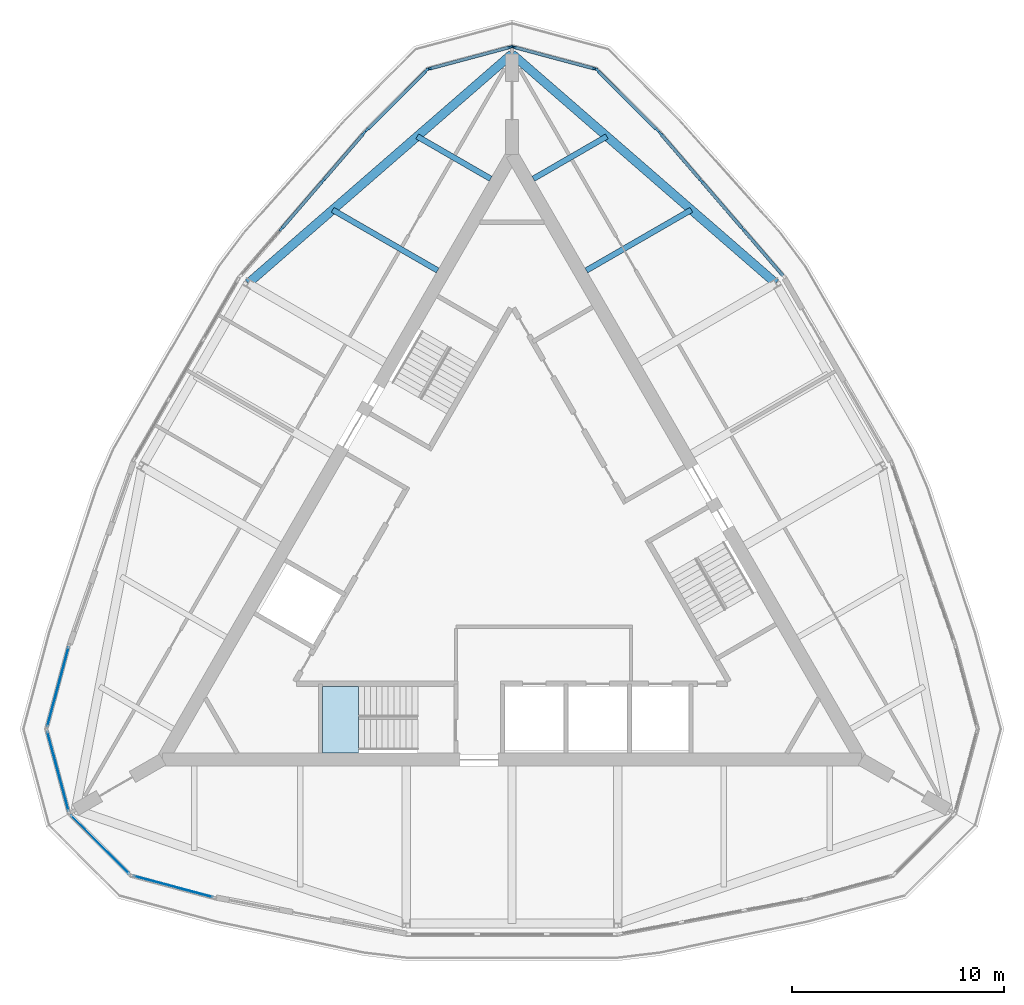
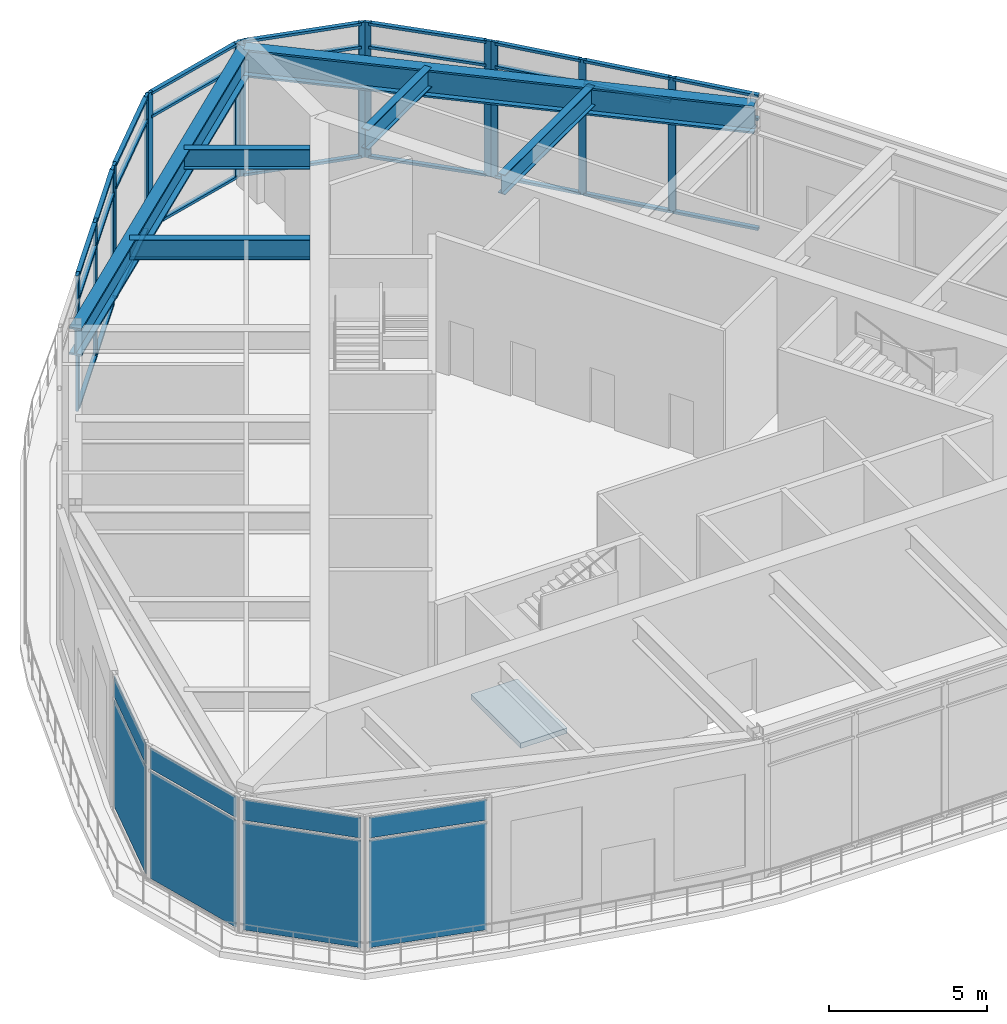
# One storey, part 3 of 9: 41 members, 8 plates, 6 beams, 1 slab, 11 elements without a shape of their own.
"""IFC4 building model written with IfcOpenShell, lengths in metres."""

import ifcopenshell
import ifcopenshell.guid

model = None  # the IFC model being written
_history = None  # IfcOwnerHistory: only IFC2X3 demands one
_inside = {}  # id of a spatial element -> (the spatial element, [elements in it])
_under = {}  # id of a project, library or spatial element -> (it, [spatial elements below it])
_declared = {}  # id of a project -> (the project, [libraries it declares])
_typed = {}  # id of a type object -> (the type object, [elements of that type])
_made_of = {}  # id of a material, layer set ... -> (it, [elements and type objects made of it])


def new_model(schema):
    """Start an empty IFC model of exactly this schema.

    Asked for "IFC4X3", IfcOpenShell would pick the latest addendum, in which some entities
    have other attributes; the version numbers below select the first issue.
    IFC2X3 requires an IfcOwnerHistory on every rooted entity: one is made here for all.
    """
    global model, _history
    if schema == "IFC4X3":
        model = ifcopenshell.file(schema_version=(4, 3, 0, 0))
    else:
        model = ifcopenshell.file(schema=schema)
    _inside.clear()
    _under.clear()
    _declared.clear()
    _typed.clear()
    _made_of.clear()
    _history = None
    if model.schema == "IFC2X3":
        org = make("IfcOrganization", Name="unknown")
        user = make(
            "IfcPersonAndOrganization",
            ThePerson=make("IfcPerson", FamilyName="unknown"),
            TheOrganization=org,
        )
        app = make(
            "IfcApplication",
            ApplicationDeveloper=org,
            Version="unknown",
            ApplicationFullName="unknown",
            ApplicationIdentifier="unknown",
        )
        _history = make(
            "IfcOwnerHistory",
            OwningUser=user,
            OwningApplication=app,
            ChangeAction="ADDED",
            CreationDate=0,
        )
    return model


def make(cls, **values):
    """One entity of the class cls with the attributes given. An attribute that is None is left unset."""
    return model.create_entity(
        cls, **{name: value for name, value in values.items() if value is not None}
    )


def rooted(cls, **values):
    """An entity with a GlobalId (a new one), such as an element, a storey or a relation."""
    return make(cls, GlobalId=ifcopenshell.guid.new(), OwnerHistory=_history, **values)


def si_unit(unit_type, name, prefix=None):
    """IfcSIUnit, for example si_unit("LENGTHUNIT", "METRE", prefix="MILLI")."""
    return make("IfcSIUnit", UnitType=unit_type, Prefix=prefix, Name=name)


def assignment(units):
    """IfcUnitAssignment: the units of a project."""
    return None if units is None else make("IfcUnitAssignment", Units=units)


def point(xyz):
    """IfcCartesianPoint."""
    return None if xyz is None else make("IfcCartesianPoint", Coordinates=xyz)


def direction(xyz):
    """IfcDirection."""
    return None if xyz is None else make("IfcDirection", DirectionRatios=xyz)


def frame(location, z_axis=None, x_axis=None):
    """IfcAxis2Placement3D, a coordinate frame: its origin and axes. An axis left out is left unset."""
    return make(
        "IfcAxis2Placement3D",
        Location=point(location),
        Axis=direction(z_axis),
        RefDirection=direction(x_axis),
    )


def frame_2d(location, x_axis=None):
    """IfcAxis2Placement2D, a coordinate frame in the plane: its origin and x axis."""
    return make(
        "IfcAxis2Placement2D", Location=point(location), RefDirection=direction(x_axis)
    )


def origin():
    """The frame at (0, 0, 0) with its axes left unset."""
    return frame((0.0, 0.0, 0.0))


def origin_2d():
    """The frame at (0, 0) in the plane with its x axis left unset."""
    return frame_2d((0.0, 0.0))


def place(relative_to, where):
    """IfcLocalPlacement: puts the frame where relative to a parent placement (None: the world)."""
    return make(
        "IfcLocalPlacement", PlacementRelTo=relative_to, RelativePlacement=where
    )


def context(
    kind, dimensions, precision=None, world=None, true_north=None, identifier=None
):
    """IfcGeometricRepresentationContext, for example the 3D "Model" context."""
    return make(
        "IfcGeometricRepresentationContext",
        ContextIdentifier=identifier,
        ContextType=kind,
        CoordinateSpaceDimension=dimensions,
        Precision=precision,
        WorldCoordinateSystem=world,
        TrueNorth=true_north,
    )


def subcontext(parent, identifier, kind, view, scale=None):
    """IfcGeometricRepresentationSubContext, for example "Body" below "Model"."""
    return make(
        "IfcGeometricRepresentationSubContext",
        ContextIdentifier=identifier,
        ContextType=kind,
        ParentContext=parent,
        TargetScale=scale,
        TargetView=view,
    )


def project(units=None, contexts=None):
    """IfcProject with its units and contexts."""
    return rooted(
        "IfcProject",
        Name="project",
        RepresentationContexts=contexts,
        UnitsInContext=assignment(units),
    )


def spatial(cls, under=None, at=None, **own):
    """A site, building, storey or space (cls), placed at a placement, below another one or the project."""
    s = rooted(cls, ObjectPlacement=at, **own)
    if under is not None:
        _under.setdefault(under.id(), (under, []))[1].append(s)
    return s


def polyline(points):
    """IfcPolyline through the points."""
    return make("IfcPolyline", Points=[point(p) for p in points])


def profile(cls, at=None, kind="AREA", **sizes):
    """A parametric profile (cls). Its sizes go by their IFC names, for example OverallWidth=200.0."""
    return make(cls, ProfileType=kind, Position=at, **sizes)


def rectangle(**sizes):
    """IfcRectangleProfileDef."""
    return profile("IfcRectangleProfileDef", **sizes)


def i_section(**sizes):
    """IfcIShapeProfileDef."""
    return profile("IfcIShapeProfileDef", **sizes)


def outline(outer, holes=None, kind="AREA"):
    """IfcArbitraryClosedProfileDef: a profile drawn as a closed curve; with holes, ...WithVoids."""
    if holes is None:
        return make("IfcArbitraryClosedProfileDef", ProfileType=kind, OuterCurve=outer)
    return make(
        "IfcArbitraryProfileDefWithVoids",
        ProfileType=kind,
        OuterCurve=outer,
        InnerCurves=holes,
    )


def extrude(swept, where, along, depth):
    """IfcExtrudedAreaSolid: the profile swept, set in the frame where, extruded along a direction by depth."""
    return make(
        "IfcExtrudedAreaSolid",
        SweptArea=swept,
        Position=where,
        ExtrudedDirection=direction(along),
        Depth=depth,
    )


def shape(context_of_items, identifier, shape_type, items):
    """IfcShapeRepresentation: the items that make up one representation, for example the "Body"."""
    return make(
        "IfcShapeRepresentation",
        ContextOfItems=context_of_items,
        RepresentationIdentifier=identifier,
        RepresentationType=shape_type,
        Items=items,
    )


def material(Name=None, Category=None):
    """IfcMaterial."""
    return make("IfcMaterial", Name=Name, Category=Category)


def layer(
    of_material, thickness, ventilated=None, Name=None, Category=None, Priority=None
):
    """IfcMaterialLayer: one layer of a wall or slab, of a material (None: an air gap)."""
    return make(
        "IfcMaterialLayer",
        Material=of_material,
        LayerThickness=thickness,
        IsVentilated=ventilated,
        Name=Name,
        Category=Category,
        Priority=Priority,
    )


def layer_set(layers, Name=None):
    """IfcMaterialLayerSet."""
    return make("IfcMaterialLayerSet", MaterialLayers=layers, LayerSetName=Name)


def material_profile(
    of_material, cross_section, Name=None, Category=None, Priority=None
):
    """IfcMaterialProfile: a cross section and its material."""
    return make(
        "IfcMaterialProfile",
        Name=Name,
        Material=of_material,
        Profile=cross_section,
        Priority=Priority,
        Category=Category,
    )


def profile_set(profiles, Name=None, composite=None):
    """IfcMaterialProfileSet."""
    return make(
        "IfcMaterialProfileSet",
        Name=Name,
        MaterialProfiles=profiles,
        CompositeProfile=composite,
    )


def made_of(thing, what):
    """Note that an element or type object is made of a material, layer set ...; save() writes the relation."""
    if what is not None:
        _made_of.setdefault(what.id(), (what, []))[1].append(thing)
    return thing


def type_object(cls, material=None, **own):
    """A type object (cls), such as IfcWallType, which elements share."""
    return made_of(rooted(cls, **own), material)


def element(
    cls,
    number,
    at=None,
    inside=None,
    cuts=None,
    type_object=None,
    material=None,
    context=None,
    identifier="Body",
    shape_type=None,
    held_by="IfcProductDefinitionShape",
    body=None,
    shapes=None,
    **own,
):
    """One element of the class cls, such as IfcWall. Its Tag is "e" and its number.

    at: its placement. inside: the storey or other place that contains it. cuts: it is an
    opening in that element (IfcRelVoidsElement). A single representation is given by context,
    identifier, shape_type and body (its items); several are given by shapes. held_by: the class
    of the entity that holds the representations. save() writes the other relations.
    """
    e = rooted(cls, Tag="e%d" % number, ObjectPlacement=at, **own)
    if body is not None:
        shapes = [shape(context, identifier, shape_type, body)]
    if shapes is not None:
        e.Representation = make(held_by, Representations=shapes)
    if inside is not None:
        _inside.setdefault(inside.id(), (inside, []))[1].append(e)
    if cuts is not None:
        rooted(
            "IfcRelVoidsElement", RelatingBuildingElement=cuts, RelatedOpeningElement=e
        )
    if type_object is not None:
        _typed.setdefault(type_object.id(), (type_object, []))[1].append(e)
    return made_of(e, material)


def aggregate(whole, parts):
    """IfcRelAggregates: a whole, such as a stair, and the parts it consists of."""
    return rooted("IfcRelAggregates", RelatingObject=whole, RelatedObjects=parts)


def save(model, path):
    """Write the relations noted so far, then the file.

    IfcRelAggregates (storeys below a building ...), IfcRelContainedInSpatialStructure (elements
    in a storey), IfcRelDefinesByType, IfcRelAssociatesMaterial and IfcRelDeclares: one each for
    every whole, place, type object, material and project.
    """
    for whole, parts in _under.values():
        aggregate(whole, parts)
    for where, things in _inside.values():
        rooted(
            "IfcRelContainedInSpatialStructure",
            RelatedElements=things,
            RelatingStructure=where,
        )
    for kind, things in _typed.values():
        rooted("IfcRelDefinesByType", RelatedObjects=things, RelatingType=kind)
    for what, things in _made_of.values():
        rooted("IfcRelAssociatesMaterial", RelatedObjects=things, RelatingMaterial=what)
    for by, libraries in _declared.values():
        rooted("IfcRelDeclares", RelatingContext=by, RelatedDefinitions=libraries)
    model.write(path)


model = new_model("IFC4")

# Units and contexts
model_context = context("Model", 3, precision=1e-05, world=origin(), true_north=direction((0.0, 1.0)))
body_context = subcontext(model_context, "Body", "Model", "MODEL_VIEW")
ifc_project = project(units=[si_unit("LENGTHUNIT", "METRE"), si_unit("AREAUNIT", "SQUARE_METRE"), si_unit("VOLUMEUNIT", "CUBIC_METRE"), si_unit("PLANEANGLEUNIT", "RADIAN"), si_unit("MASSUNIT", "GRAM", prefix="KILO")], contexts=[model_context])

# Site, building, storey
site_placement = place(None, origin())
site = spatial("IfcSite", under=ifc_project, at=site_placement, CompositionType="ELEMENT")
building_placement = place(site_placement, origin())
building = spatial("IfcBuilding", under=site, at=building_placement, Name="Trikona Tower", CompositionType="ELEMENT")
storey_placement = place(building_placement, frame((0.0, 0.0, 281.300048828125)))
storey = spatial("IfcBuildingStorey", under=building, at=storey_placement, Name="L74", CompositionType="ELEMENT", Elevation=281.300048828125)

# Curtain wall, members
ifc_material_1 = material(Name="Aluminium curtain wall system", Category="aluminium")
curtain_wall_type = type_object("IfcCurtainWallType", Name="Curtain wall OB", PredefinedType="NOTDEFINED", material=ifc_material_1)
curtain_wall_1_placement = place(storey_placement, origin())
curtain_wall_1 = element("IfcCurtainWall", 1, at=curtain_wall_1_placement, inside=storey, type_object=curtain_wall_type, Name="Curtain wall OB L74", PredefinedType="NOTDEFINED")
ifc_material_2 = material(Name="Aluminium mullion, pale anodised", Category="aluminium")
ifc_material_profile_1 = material_profile(ifc_material_2, rectangle(XDim=0.10009765625, YDim=0.25, at=origin_2d()), Name="MUL-OB")
ifc_profile_set_1 = profile_set([ifc_material_profile_1], Name="Aluminium mullion, pale anodised")
member_type_1 = type_object("IfcMemberType", Name="Mullion OB 100x250", PredefinedType="MULLION", material=ifc_profile_set_1)
member_1_placement = place(storey_placement, frame((10.8984375, 15.531005859375, 0.0), z_axis=(0.0, 0.0, 1.0), x_axis=(-0.757475219973, -0.652863914707, 0.0)))
member_1 = element("IfcMember", 2, at=member_1_placement, type_object=member_type_1, Name="CW-OB mullion 2", PredefinedType="MULLION", context=body_context, shape_type="SweptSolid", body=[
    extrude(rectangle(XDim=0.10009765625, YDim=0.25, at=origin_2d()), origin(), (0.0, 0.0, 1.0), 5.25),
])
member_2_placement = place(storey_placement, frame((8.930908203125, 17.813720703125, 0.0), z_axis=(0.0, 0.0, 1.0), x_axis=(-0.757475219973, -0.652863914707, 0.0)))
member_2 = element("IfcMember", 3, at=member_2_placement, type_object=member_type_1, Name="CW-OB mullion 3", PredefinedType="MULLION", context=body_context, shape_type="SweptSolid", body=[
    extrude(rectangle(XDim=0.10009765625, YDim=0.25, at=origin_2d()), origin(), (0.0, 0.0, 1.0), 5.25),
])
member_3_placement = place(storey_placement, frame((6.99609375, 20.058837890625, 0.0), z_axis=(0.0, 0.0, 1.0), x_axis=(-0.757475219973, -0.652863914707, 0.0)))
member_3 = element("IfcMember", 4, at=member_3_placement, type_object=member_type_1, Name="CW-OB mullion 4", PredefinedType="MULLION", context=body_context, shape_type="SweptSolid", body=[
    extrude(rectangle(XDim=0.10009765625, YDim=0.25, at=origin_2d()), origin(), (0.0, 0.0, 1.0), 5.25),
])

curtain_wall_2_placement = place(storey_placement, origin())
curtain_wall_2 = element("IfcCurtainWall", 5, at=curtain_wall_2_placement, inside=storey, type_object=curtain_wall_type, Name="Curtain wall OB L74", PredefinedType="NOTDEFINED")
member_4_placement = place(storey_placement, frame((6.8515625, 20.21435546875, 0.0), z_axis=(0.0, 0.0, 1.0), x_axis=(-0.707106781187, -0.707106781187, 0.0)))
member_4 = element("IfcMember", 6, at=member_4_placement, type_object=member_type_1, Name="CW-OB mullion 1", PredefinedType="MULLION", context=body_context, shape_type="SweptSolid", body=[
    extrude(rectangle(XDim=0.10009765625, YDim=0.25, at=origin_2d()), origin(), (0.0, 0.0, 1.0), 5.25),
])
member_5_placement = place(storey_placement, frame((4.048583984375, 23.017333984375, 0.0), z_axis=(0.0, 0.0, 1.0), x_axis=(-0.707106781187, -0.707106781187, 0.0)))
member_5 = element("IfcMember", 7, at=member_5_placement, type_object=member_type_1, Name="CW-OB mullion 2", PredefinedType="MULLION", context=body_context, shape_type="SweptSolid", body=[
    extrude(rectangle(XDim=0.10009765625, YDim=0.25, at=origin_2d()), origin(), (0.0, 0.0, 1.0), 5.25),
])

curtain_wall_3_placement = place(storey_placement, origin())
curtain_wall_3 = element("IfcCurtainWall", 8, at=curtain_wall_3_placement, inside=storey, type_object=curtain_wall_type, Name="Curtain wall OB L74", PredefinedType="NOTDEFINED")
member_6_placement = place(storey_placement, frame((3.909423828125, 23.09765625, 0.0), z_axis=(0.0, 0.0, 1.0), x_axis=(-0.258827918204, -0.965923448705, 0.0)))
member_6 = element("IfcMember", 9, at=member_6_placement, type_object=member_type_1, Name="CW-OB mullion 1", PredefinedType="MULLION", context=body_context, shape_type="SweptSolid", body=[
    extrude(rectangle(XDim=0.10009765625, YDim=0.25, at=origin_2d()), origin(), (0.0, 0.0, 1.0), 5.25),
])
member_7_placement = place(storey_placement, frame((0.080322265625, 24.123779296875, 0.0), z_axis=(0.0, 0.0, 1.0), x_axis=(-0.258827918204, -0.965923448705, 0.0)))
member_7 = element("IfcMember", 10, at=member_7_placement, type_object=member_type_1, Name="CW-OB mullion 2", PredefinedType="MULLION", context=body_context, shape_type="SweptSolid", body=[
    extrude(rectangle(XDim=0.10009765625, YDim=0.25, at=origin_2d()), origin(), (0.0, 0.0, 1.0), 5.25),
])

curtain_wall_4_placement = place(storey_placement, origin())
curtain_wall_4 = element("IfcCurtainWall", 11, at=curtain_wall_4_placement, inside=storey, type_object=curtain_wall_type, Name="Curtain wall OB L74", PredefinedType="NOTDEFINED")
member_8_placement = place(storey_placement, frame((-0.080322265625, 24.123779296875, 0.0), z_axis=(0.0, 0.0, 1.0), x_axis=(0.258827918204, -0.965923448705, 0.0)))
member_8 = element("IfcMember", 12, at=member_8_placement, type_object=member_type_1, Name="CW-OB mullion 1", PredefinedType="MULLION", context=body_context, shape_type="SweptSolid", body=[
    extrude(rectangle(XDim=0.10009765625, YDim=0.25, at=origin_2d()), origin(), (0.0, 0.0, 1.0), 5.25),
])
member_9_placement = place(storey_placement, frame((-3.909423828125, 23.09765625, 0.0), z_axis=(0.0, 0.0, 1.0), x_axis=(0.258827918204, -0.965923448705, 0.0)))
member_9 = element("IfcMember", 13, at=member_9_placement, type_object=member_type_1, Name="CW-OB mullion 2", PredefinedType="MULLION", context=body_context, shape_type="SweptSolid", body=[
    extrude(rectangle(XDim=0.10009765625, YDim=0.25, at=origin_2d()), origin(), (0.0, 0.0, 1.0), 5.25),
])

curtain_wall_5_placement = place(storey_placement, origin())
curtain_wall_5 = element("IfcCurtainWall", 14, at=curtain_wall_5_placement, inside=storey, type_object=curtain_wall_type, Name="Curtain wall OB L74", PredefinedType="NOTDEFINED")
member_10_placement = place(storey_placement, frame((-4.048583984375, 23.017333984375, 0.0), z_axis=(0.0, 0.0, 1.0), x_axis=(0.707106781187, -0.707106781187, 0.0)))
member_10 = element("IfcMember", 15, at=member_10_placement, type_object=member_type_1, Name="CW-OB mullion 1", PredefinedType="MULLION", context=body_context, shape_type="SweptSolid", body=[
    extrude(rectangle(XDim=0.10009765625, YDim=0.25, at=origin_2d()), origin(), (0.0, 0.0, 1.0), 5.25),
])
member_11_placement = place(storey_placement, frame((-6.8515625, 20.21435546875, 0.0), z_axis=(0.0, 0.0, 1.0), x_axis=(0.707106781187, -0.707106781187, 0.0)))
member_11 = element("IfcMember", 16, at=member_11_placement, type_object=member_type_1, Name="CW-OB mullion 2", PredefinedType="MULLION", context=body_context, shape_type="SweptSolid", body=[
    extrude(rectangle(XDim=0.10009765625, YDim=0.25, at=origin_2d()), origin(), (0.0, 0.0, 1.0), 5.25),
])

curtain_wall_6_placement = place(storey_placement, origin())
curtain_wall_6 = element("IfcCurtainWall", 17, at=curtain_wall_6_placement, inside=storey, type_object=curtain_wall_type, Name="Curtain wall OB L74", PredefinedType="NOTDEFINED")
member_12_placement = place(storey_placement, frame((-6.99609375, 20.058837890625, 0.0), z_axis=(0.0, 0.0, 1.0), x_axis=(0.757475219973, -0.652863914707, 0.0)))
member_12 = element("IfcMember", 18, at=member_12_placement, type_object=member_type_1, Name="CW-OB mullion 1", PredefinedType="MULLION", context=body_context, shape_type="SweptSolid", body=[
    extrude(rectangle(XDim=0.10009765625, YDim=0.25, at=origin_2d()), origin(), (0.0, 0.0, 1.0), 5.25),
])
member_13_placement = place(storey_placement, frame((-8.930908203125, 17.813720703125, 0.0), z_axis=(0.0, 0.0, 1.0), x_axis=(0.757475219973, -0.652863914707, 0.0)))
member_13 = element("IfcMember", 19, at=member_13_placement, type_object=member_type_1, Name="CW-OB mullion 2", PredefinedType="MULLION", context=body_context, shape_type="SweptSolid", body=[
    extrude(rectangle(XDim=0.10009765625, YDim=0.25, at=origin_2d()), origin(), (0.0, 0.0, 1.0), 5.25),
])
member_14_placement = place(storey_placement, frame((-10.8984375, 15.531005859375, 0.0), z_axis=(0.0, 0.0, 1.0), x_axis=(0.757475219973, -0.652863914707, 0.0)))
member_14 = element("IfcMember", 20, at=member_14_placement, type_object=member_type_1, Name="CW-OB mullion 3", PredefinedType="MULLION", context=body_context, shape_type="SweptSolid", body=[
    extrude(rectangle(XDim=0.10009765625, YDim=0.25, at=origin_2d()), origin(), (0.0, 0.0, 1.0), 5.25),
])

# Beams
ifc_material_3 = material(Name="Steel ASTM A992 Grade 50", Category="steel")
ifc_material_profile_2 = material_profile(ifc_material_3, i_section(OverallWidth=0.2666015625, OverallDepth=0.76953125, WebThickness=0.015625, FlangeThickness=0.025390625, at=origin_2d()), Name="W30X132")
ifc_profile_set_2 = profile_set([ifc_material_profile_2], Name="Steel ASTM A992 Grade 50")
beam_type_1 = type_object("IfcBeamType", Name="Steel beam W30x132 (wedge)", PredefinedType="BEAM", material=ifc_profile_set_2)
beam_1_placement = place(storey_placement, frame((3.509765625, 13.573486328125, 4.865234375), z_axis=(0.866044330199, 0.499967217055, 0.0), x_axis=(-0.499967217055, 0.866044330199, 0.0)))
element("IfcBeam", 21, at=beam_1_placement, inside=storey, type_object=beam_type_1, Name="Floor beam L75 F2 u10", PredefinedType="BEAM", context=body_context, shape_type="SweptSolid", body=[
    extrude(i_section(OverallWidth=0.2666015625, OverallDepth=0.76953125, WebThickness=0.015625, FlangeThickness=0.025390625, at=origin_2d()), origin(), (0.0, 0.0, 1.0), 5.7275390625),
])
for number, where, z_axis, x_axis, name in (
    (22, (1.009765625, 17.903564453125, 4.865234375), (0.866025209122, 0.500000337164, 0.0), (-0.500000337164, 0.866025209122, 0.0), "Floor beam L75 F2 u15"),
    (23, (-1.009765625, 17.903564453125, 4.865234375), (-0.866025209122, 0.500000337164, 0.0), (-0.500000337164, -0.866025209122, 0.0), "Floor beam L75 F3 u-15"),
):
    element("IfcBeam", number, at=place(storey_placement, frame(where, z_axis=z_axis, x_axis=x_axis)), inside=storey, type_object=beam_type_1, Name=name, PredefinedType="BEAM", context=body_context, shape_type="SweptSolid", body=[
        extrude(i_section(OverallWidth=0.2666015625, OverallDepth=0.76953125, WebThickness=0.015625, FlangeThickness=0.025390625, at=origin_2d()), origin(), (0.0, 0.0, 1.0), 4.00537109375),
    ])
beam_2_placement = place(storey_placement, frame((-3.509765625, 13.573486328125, 4.865234375), z_axis=(-0.866044330199, 0.499967217055, 0.0), x_axis=(-0.499967217055, -0.866044330199, 0.0)))
element("IfcBeam", 24, at=beam_2_placement, inside=storey, type_object=beam_type_1, Name="Floor beam L75 F3 u-10", PredefinedType="BEAM", context=body_context, shape_type="SweptSolid", body=[
    extrude(i_section(OverallWidth=0.2666015625, OverallDepth=0.76953125, WebThickness=0.015625, FlangeThickness=0.025390625, at=origin_2d()), origin(), (0.0, 0.0, 1.0), 5.7275390625),
])
ifc_material_4 = material(Name="Steel ASTM A992 Grade 50", Category="steel")
ifc_material_profile_3 = material_profile(ifc_material_4, i_section(OverallWidth=0.41650390625, OverallDepth=1.0693359375, WebThickness=0.0390625, FlangeThickness=0.070068359375, at=origin_2d()), Name="W40X503")
ifc_profile_set_3 = profile_set([ifc_material_profile_3], Name="Steel ASTM A992 Grade 50")
beam_type_2 = type_object("IfcBeamType", Name="Steel beam W40x503 (crown spandrel)", PredefinedType="SPANDREL", material=ifc_profile_set_3)
for number, where, z_axis, x_axis, name in (
    (25, (12.461181640625, 12.968017578125, 4.71533203125), (-0.754762765652, 0.655997841144, 0.0), (-0.655997841144, -0.754762765652, 0.0), "Spandrel beam L75 F2-3"),
    (26, (0.0, 23.798583984375, 4.71533203125), (-0.754762765652, -0.655997841144, 0.0), (0.655997841144, -0.754762765652, 0.0), "Spandrel beam L75 F3-1"),
):
    element("IfcBeam", number, at=place(storey_placement, frame(where, z_axis=z_axis, x_axis=x_axis)), inside=storey, type_object=beam_type_2, Name=name, PredefinedType="SPANDREL", context=body_context, shape_type="SweptSolid", body=[
        extrude(i_section(OverallWidth=0.41650390625, OverallDepth=1.0693359375, WebThickness=0.0390625, FlangeThickness=0.070068359375, at=origin_2d()), origin(), (0.0, 0.0, 1.0), 16.510009765625),
    ])

# Member
ifc_material_5 = material(Name="Aluminium transom, pale anodised", Category="aluminium")
ifc_material_profile_4 = material_profile(ifc_material_5, rectangle(XDim=0.14990234375, YDim=0.10009765625, at=origin_2d()), Name="TRN-OB")
ifc_profile_set_4 = profile_set([ifc_material_profile_4], Name="Aluminium transom, pale anodised")
member_type_2 = type_object("IfcMemberType", Name="Transom OB 100x150", PredefinedType="USERDEFINED", material=ifc_profile_set_4)
member_15_placement = place(storey_placement, frame((12.80078125, 13.323974609375, 0.050048828125), z_axis=(-0.65286710173, 0.757472473083, 0.0), x_axis=(-0.757472473083, -0.65286710173, 0.0)))
member_15 = element("IfcMember", 27, at=member_15_placement, type_object=member_type_2, Name="CW-OB transom 1.1", ObjectType="TRANSOM", PredefinedType="USERDEFINED", context=body_context, shape_type="SweptSolid", body=[
    extrude(rectangle(XDim=0.14990234375, YDim=0.10009765625, at=origin_2d()), origin(), (0.0, 0.0, 1.0), 2.86376953125),
])

member_16_placement = place(storey_placement, frame((12.80078125, 13.323974609375, 4.300048828125), z_axis=(-0.65286710173, 0.757472473083, 0.0), x_axis=(-0.757472473083, -0.65286710173, 0.0)))
member_16 = element("IfcMember", 28, at=member_16_placement, type_object=member_type_2, Name="CW-OB transom 1.2", ObjectType="TRANSOM", PredefinedType="USERDEFINED", context=body_context, shape_type="SweptSolid", body=[
    extrude(rectangle(XDim=0.14990234375, YDim=0.10009765625, at=origin_2d()), origin(), (0.0, 0.0, 1.0), 2.86376953125),
])

member_17_placement = place(storey_placement, frame((12.80078125, 13.323974609375, 5.199951171875), z_axis=(-0.65286710173, 0.757472473083, 0.0), x_axis=(-0.757472473083, -0.65286710173, 0.0)))
member_17 = element("IfcMember", 29, at=member_17_placement, type_object=member_type_2, Name="CW-OB transom 1.3", ObjectType="TRANSOM", PredefinedType="USERDEFINED", context=body_context, shape_type="SweptSolid", body=[
    extrude(rectangle(XDim=0.14990234375, YDim=0.10009765625, at=origin_2d()), origin(), (0.0, 0.0, 1.0), 2.86376953125),
])

member_18_placement = place(storey_placement, frame((10.86572265625, 15.56884765625, 0.050048828125), z_axis=(-0.652838503386, 0.757497121115, 0.0), x_axis=(-0.757497121115, -0.652838503386, 0.0)))
member_18 = element("IfcMember", 30, at=member_18_placement, type_object=member_type_2, Name="CW-OB transom 2.1", ObjectType="TRANSOM", PredefinedType="USERDEFINED", context=body_context, shape_type="SweptSolid", body=[
    extrude(rectangle(XDim=0.14990234375, YDim=0.10009765625, at=origin_2d()), origin(), (0.0, 0.0, 1.0), 2.91357421875),
])

member_19_placement = place(storey_placement, frame((10.86572265625, 15.56884765625, 4.300048828125), z_axis=(-0.652838503386, 0.757497121115, 0.0), x_axis=(-0.757497121115, -0.652838503386, 0.0)))
member_19 = element("IfcMember", 31, at=member_19_placement, type_object=member_type_2, Name="CW-OB transom 2.2", ObjectType="TRANSOM", PredefinedType="USERDEFINED", context=body_context, shape_type="SweptSolid", body=[
    extrude(rectangle(XDim=0.14990234375, YDim=0.10009765625, at=origin_2d()), origin(), (0.0, 0.0, 1.0), 2.91357421875),
])

member_20_placement = place(storey_placement, frame((10.86572265625, 15.56884765625, 5.199951171875), z_axis=(-0.652838503386, 0.757497121115, 0.0), x_axis=(-0.757497121115, -0.652838503386, 0.0)))
member_20 = element("IfcMember", 32, at=member_20_placement, type_object=member_type_2, Name="CW-OB transom 2.3", ObjectType="TRANSOM", PredefinedType="USERDEFINED", context=body_context, shape_type="SweptSolid", body=[
    extrude(rectangle(XDim=0.14990234375, YDim=0.10009765625, at=origin_2d()), origin(), (0.0, 0.0, 1.0), 2.91357421875),
])

member_21_placement = place(storey_placement, frame((8.898193359375, 17.8515625, 0.050048828125), z_axis=(-0.65286710173, 0.757472473083, 0.0), x_axis=(-0.757472473083, -0.65286710173, 0.0)))
member_21 = element("IfcMember", 33, at=member_21_placement, type_object=member_type_2, Name="CW-OB transom 3.1", ObjectType="TRANSOM", PredefinedType="USERDEFINED", context=body_context, shape_type="SweptSolid", body=[
    extrude(rectangle(XDim=0.14990234375, YDim=0.10009765625, at=origin_2d()), origin(), (0.0, 0.0, 1.0), 2.86376953125),
])

member_22_placement = place(storey_placement, frame((8.898193359375, 17.8515625, 4.300048828125), z_axis=(-0.65286710173, 0.757472473083, 0.0), x_axis=(-0.757472473083, -0.65286710173, 0.0)))
member_22 = element("IfcMember", 34, at=member_22_placement, type_object=member_type_2, Name="CW-OB transom 3.2", ObjectType="TRANSOM", PredefinedType="USERDEFINED", context=body_context, shape_type="SweptSolid", body=[
    extrude(rectangle(XDim=0.14990234375, YDim=0.10009765625, at=origin_2d()), origin(), (0.0, 0.0, 1.0), 2.86376953125),
])

member_23_placement = place(storey_placement, frame((8.898193359375, 17.8515625, 5.199951171875), z_axis=(-0.65286710173, 0.757472473083, 0.0), x_axis=(-0.757472473083, -0.65286710173, 0.0)))
member_23 = element("IfcMember", 35, at=member_23_placement, type_object=member_type_2, Name="CW-OB transom 3.3", ObjectType="TRANSOM", PredefinedType="USERDEFINED", context=body_context, shape_type="SweptSolid", body=[
    extrude(rectangle(XDim=0.14990234375, YDim=0.10009765625, at=origin_2d()), origin(), (0.0, 0.0, 1.0), 2.86376953125),
])

aggregate(curtain_wall_1, [member_1, member_2, member_3, member_15, member_16, member_17, member_18, member_19, member_20, member_21, member_22, member_23])

member_24_placement = place(storey_placement, frame((6.816162109375, 20.249755859375, 0.050048828125), z_axis=(-0.707106781187, 0.707106781187, 0.0), x_axis=(-0.707106781187, -0.707106781187, 0.0)))
member_24 = element("IfcMember", 36, at=member_24_placement, type_object=member_type_2, Name="CW-OB transom 1.1", ObjectType="TRANSOM", PredefinedType="USERDEFINED", context=body_context, shape_type="SweptSolid", body=[
    extrude(rectangle(XDim=0.14990234375, YDim=0.10009765625, at=origin_2d()), origin(), (0.0, 0.0, 1.0), 3.86376953125),
])

member_25_placement = place(storey_placement, frame((6.816162109375, 20.249755859375, 4.300048828125), z_axis=(-0.707106781187, 0.707106781187, 0.0), x_axis=(-0.707106781187, -0.707106781187, 0.0)))
member_25 = element("IfcMember", 37, at=member_25_placement, type_object=member_type_2, Name="CW-OB transom 1.2", ObjectType="TRANSOM", PredefinedType="USERDEFINED", context=body_context, shape_type="SweptSolid", body=[
    extrude(rectangle(XDim=0.14990234375, YDim=0.10009765625, at=origin_2d()), origin(), (0.0, 0.0, 1.0), 3.86376953125),
])

member_26_placement = place(storey_placement, frame((6.816162109375, 20.249755859375, 5.199951171875), z_axis=(-0.707106781187, 0.707106781187, 0.0), x_axis=(-0.707106781187, -0.707106781187, 0.0)))
member_26 = element("IfcMember", 38, at=member_26_placement, type_object=member_type_2, Name="CW-OB transom 1.3", ObjectType="TRANSOM", PredefinedType="USERDEFINED", context=body_context, shape_type="SweptSolid", body=[
    extrude(rectangle(XDim=0.14990234375, YDim=0.10009765625, at=origin_2d()), origin(), (0.0, 0.0, 1.0), 3.86376953125),
])

aggregate(curtain_wall_2, [member_4, member_5, member_24, member_25, member_26])

member_27_placement = place(storey_placement, frame((3.861083984375, 23.110595703125, 0.050048828125), z_axis=(-0.965932258808, 0.25879503742, 0.0), x_axis=(-0.25879503742, -0.965932258808, 0.0)))
member_27 = element("IfcMember", 39, at=member_27_placement, type_object=member_type_2, Name="CW-OB transom 1.1", ObjectType="TRANSOM", PredefinedType="USERDEFINED", context=body_context, shape_type="SweptSolid", body=[
    extrude(rectangle(XDim=0.14990234375, YDim=0.10009765625, at=origin_2d()), origin(), (0.0, 0.0, 1.0), 3.864013671875),
])

member_28_placement = place(storey_placement, frame((3.861083984375, 23.110595703125, 4.300048828125), z_axis=(-0.965932258808, 0.25879503742, 0.0), x_axis=(-0.25879503742, -0.965932258808, 0.0)))
member_28 = element("IfcMember", 40, at=member_28_placement, type_object=member_type_2, Name="CW-OB transom 1.2", ObjectType="TRANSOM", PredefinedType="USERDEFINED", context=body_context, shape_type="SweptSolid", body=[
    extrude(rectangle(XDim=0.14990234375, YDim=0.10009765625, at=origin_2d()), origin(), (0.0, 0.0, 1.0), 3.864013671875),
])

member_29_placement = place(storey_placement, frame((3.861083984375, 23.110595703125, 5.199951171875), z_axis=(-0.965932258808, 0.25879503742, 0.0), x_axis=(-0.25879503742, -0.965932258808, 0.0)))
member_29 = element("IfcMember", 41, at=member_29_placement, type_object=member_type_2, Name="CW-OB transom 1.3", ObjectType="TRANSOM", PredefinedType="USERDEFINED", context=body_context, shape_type="SweptSolid", body=[
    extrude(rectangle(XDim=0.14990234375, YDim=0.10009765625, at=origin_2d()), origin(), (0.0, 0.0, 1.0), 3.864013671875),
])

aggregate(curtain_wall_3, [member_6, member_7, member_27, member_28, member_29])

member_30_placement = place(storey_placement, frame((-0.128662109375, 24.110595703125, 0.050048828125), z_axis=(-0.965932258808, -0.25879503742, 0.0), x_axis=(0.25879503742, -0.965932258808, 0.0)))
member_30 = element("IfcMember", 42, at=member_30_placement, type_object=member_type_2, Name="CW-OB transom 1.1", ObjectType="TRANSOM", PredefinedType="USERDEFINED", context=body_context, shape_type="SweptSolid", body=[
    extrude(rectangle(XDim=0.14990234375, YDim=0.10009765625, at=origin_2d()), origin(), (0.0, 0.0, 1.0), 3.864013671875),
])

member_31_placement = place(storey_placement, frame((-0.128662109375, 24.110595703125, 4.300048828125), z_axis=(-0.965932258808, -0.25879503742, 0.0), x_axis=(0.25879503742, -0.965932258808, 0.0)))
member_31 = element("IfcMember", 43, at=member_31_placement, type_object=member_type_2, Name="CW-OB transom 1.2", ObjectType="TRANSOM", PredefinedType="USERDEFINED", context=body_context, shape_type="SweptSolid", body=[
    extrude(rectangle(XDim=0.14990234375, YDim=0.10009765625, at=origin_2d()), origin(), (0.0, 0.0, 1.0), 3.864013671875),
])

member_32_placement = place(storey_placement, frame((-0.128662109375, 24.110595703125, 5.199951171875), z_axis=(-0.965932258808, -0.25879503742, 0.0), x_axis=(0.25879503742, -0.965932258808, 0.0)))
member_32 = element("IfcMember", 44, at=member_32_placement, type_object=member_type_2, Name="CW-OB transom 1.3", ObjectType="TRANSOM", PredefinedType="USERDEFINED", context=body_context, shape_type="SweptSolid", body=[
    extrude(rectangle(XDim=0.14990234375, YDim=0.10009765625, at=origin_2d()), origin(), (0.0, 0.0, 1.0), 3.864013671875),
])

aggregate(curtain_wall_4, [member_8, member_9, member_30, member_31, member_32])

member_33_placement = place(storey_placement, frame((-4.083984375, 22.98193359375, 0.050048828125), z_axis=(-0.707106781187, -0.707106781187, 0.0), x_axis=(0.707106781187, -0.707106781187, 0.0)))
member_33 = element("IfcMember", 45, at=member_33_placement, type_object=member_type_2, Name="CW-OB transom 1.1", ObjectType="TRANSOM", PredefinedType="USERDEFINED", context=body_context, shape_type="SweptSolid", body=[
    extrude(rectangle(XDim=0.14990234375, YDim=0.10009765625, at=origin_2d()), origin(), (0.0, 0.0, 1.0), 3.86376953125),
])

member_34_placement = place(storey_placement, frame((-4.083984375, 22.98193359375, 4.300048828125), z_axis=(-0.707106781187, -0.707106781187, 0.0), x_axis=(0.707106781187, -0.707106781187, 0.0)))
member_34 = element("IfcMember", 46, at=member_34_placement, type_object=member_type_2, Name="CW-OB transom 1.2", ObjectType="TRANSOM", PredefinedType="USERDEFINED", context=body_context, shape_type="SweptSolid", body=[
    extrude(rectangle(XDim=0.14990234375, YDim=0.10009765625, at=origin_2d()), origin(), (0.0, 0.0, 1.0), 3.86376953125),
])

member_35_placement = place(storey_placement, frame((-4.083984375, 22.98193359375, 5.199951171875), z_axis=(-0.707106781187, -0.707106781187, 0.0), x_axis=(0.707106781187, -0.707106781187, 0.0)))
member_35 = element("IfcMember", 47, at=member_35_placement, type_object=member_type_2, Name="CW-OB transom 1.3", ObjectType="TRANSOM", PredefinedType="USERDEFINED", context=body_context, shape_type="SweptSolid", body=[
    extrude(rectangle(XDim=0.14990234375, YDim=0.10009765625, at=origin_2d()), origin(), (0.0, 0.0, 1.0), 3.86376953125),
])

aggregate(curtain_wall_5, [member_10, member_11, member_33, member_34, member_35])

member_36_placement = place(storey_placement, frame((-7.028564453125, 20.020751953125, 0.050048828125), z_axis=(-0.65286710173, -0.757472473083, 0.0), x_axis=(0.757472473083, -0.65286710173, 0.0)))
member_36 = element("IfcMember", 48, at=member_36_placement, type_object=member_type_2, Name="CW-OB transom 1.1", ObjectType="TRANSOM", PredefinedType="USERDEFINED", context=body_context, shape_type="SweptSolid", body=[
    extrude(rectangle(XDim=0.14990234375, YDim=0.10009765625, at=origin_2d()), origin(), (0.0, 0.0, 1.0), 2.86376953125),
])

member_37_placement = place(storey_placement, frame((-7.028564453125, 20.020751953125, 4.300048828125), z_axis=(-0.65286710173, -0.757472473083, 0.0), x_axis=(0.757472473083, -0.65286710173, 0.0)))
member_37 = element("IfcMember", 49, at=member_37_placement, type_object=member_type_2, Name="CW-OB transom 1.2", ObjectType="TRANSOM", PredefinedType="USERDEFINED", context=body_context, shape_type="SweptSolid", body=[
    extrude(rectangle(XDim=0.14990234375, YDim=0.10009765625, at=origin_2d()), origin(), (0.0, 0.0, 1.0), 2.86376953125),
])

member_38_placement = place(storey_placement, frame((-7.028564453125, 20.020751953125, 5.199951171875), z_axis=(-0.65286710173, -0.757472473083, 0.0), x_axis=(0.757472473083, -0.65286710173, 0.0)))
member_38 = element("IfcMember", 50, at=member_38_placement, type_object=member_type_2, Name="CW-OB transom 1.3", ObjectType="TRANSOM", PredefinedType="USERDEFINED", context=body_context, shape_type="SweptSolid", body=[
    extrude(rectangle(XDim=0.14990234375, YDim=0.10009765625, at=origin_2d()), origin(), (0.0, 0.0, 1.0), 2.86376953125),
])

member_39_placement = place(storey_placement, frame((-8.963623046875, 17.77587890625, 0.050048828125), z_axis=(-0.652838503386, -0.757497121115, 0.0), x_axis=(0.757497121115, -0.652838503386, 0.0)))
member_39 = element("IfcMember", 51, at=member_39_placement, type_object=member_type_2, Name="CW-OB transom 2.1", ObjectType="TRANSOM", PredefinedType="USERDEFINED", context=body_context, shape_type="SweptSolid", body=[
    extrude(rectangle(XDim=0.14990234375, YDim=0.10009765625, at=origin_2d()), origin(), (0.0, 0.0, 1.0), 2.91357421875),
])

member_40_placement = place(storey_placement, frame((-8.963623046875, 17.77587890625, 4.300048828125), z_axis=(-0.652838503386, -0.757497121115, 0.0), x_axis=(0.757497121115, -0.652838503386, 0.0)))
member_40 = element("IfcMember", 52, at=member_40_placement, type_object=member_type_2, Name="CW-OB transom 2.2", ObjectType="TRANSOM", PredefinedType="USERDEFINED", context=body_context, shape_type="SweptSolid", body=[
    extrude(rectangle(XDim=0.14990234375, YDim=0.10009765625, at=origin_2d()), origin(), (0.0, 0.0, 1.0), 2.91357421875),
])

member_41_placement = place(storey_placement, frame((-8.963623046875, 17.77587890625, 5.199951171875), z_axis=(-0.652838503386, -0.757497121115, 0.0), x_axis=(0.757497121115, -0.652838503386, 0.0)))
member_41 = element("IfcMember", 53, at=member_41_placement, type_object=member_type_2, Name="CW-OB transom 2.3", ObjectType="TRANSOM", PredefinedType="USERDEFINED", context=body_context, shape_type="SweptSolid", body=[
    extrude(rectangle(XDim=0.14990234375, YDim=0.10009765625, at=origin_2d()), origin(), (0.0, 0.0, 1.0), 2.91357421875),
])

aggregate(curtain_wall_6, [member_12, member_13, member_14, member_36, member_37, member_38, member_39, member_40, member_41])

# Curtain wall, plates
curtain_wall_7_placement = place(storey_placement, origin())
curtain_wall_7 = element("IfcCurtainWall", 54, at=curtain_wall_7_placement, inside=storey, type_object=curtain_wall_type, Name="Curtain wall OB L74", PredefinedType="NOTDEFINED")
ifc_material_6 = material(Name="Clear insulating glass unit", Category="glass")
ifc_layer_1 = layer(ifc_material_6, 0.028076171875)
ifc_layer_set_1 = layer_set([ifc_layer_1], Name="Glass panel OB")
plate_type = type_object("IfcPlateType", Name="Glass panel OB", PredefinedType="CURTAIN_PANEL", material=ifc_layer_set_1)
plate_1_placement = place(storey_placement, frame((-21.44482421875, -6.088134765625, 0.10009765625), z_axis=(0.0, 0.0, 1.0), x_axis=(-0.258834069983, -0.965921800259, 0.0)))
plate_1 = element("IfcPlate", 55, at=plate_1_placement, type_object=plate_type, Name="CW-OB panel 1.1", PredefinedType="CURTAIN_PANEL", context=body_context, shape_type="SweptSolid", body=[
    extrude(rectangle(XDim=3.864013671875, YDim=0.028076171875, at=origin_2d()), origin(), (0.0, 0.0, 1.0), 4.14990234375),
])
plate_2_placement = place(storey_placement, frame((-21.44482421875, -6.088134765625, 4.35009765625), z_axis=(0.0, 0.0, 1.0), x_axis=(-0.258834069983, -0.965921800259, 0.0)))
plate_2 = element("IfcPlate", 56, at=plate_2_placement, type_object=plate_type, Name="CW-OB panel 1.2", PredefinedType="CURTAIN_PANEL", context=body_context, shape_type="SweptSolid", body=[
    extrude(rectangle(XDim=3.864013671875, YDim=0.028076171875, at=origin_2d()), origin(), (0.0, 0.0, 1.0), 0.800048828125),
])
aggregate(curtain_wall_7, [plate_1, plate_2])

curtain_wall_8_placement = place(storey_placement, origin())
curtain_wall_8 = element("IfcCurtainWall", 57, at=curtain_wall_8_placement, inside=storey, type_object=curtain_wall_type, Name="Curtain wall OB L74", PredefinedType="NOTDEFINED")
plate_3_placement = place(storey_placement, frame((-21.44482421875, -10.077880859375, 0.10009765625), z_axis=(0.0, 0.0, 1.0), x_axis=(0.258827918204, -0.965923448705, 0.0)))
plate_3 = element("IfcPlate", 58, at=plate_3_placement, type_object=plate_type, Name="CW-OB panel 1.1", PredefinedType="CURTAIN_PANEL", context=body_context, shape_type="SweptSolid", body=[
    extrude(rectangle(XDim=3.864013671875, YDim=0.028076171875, at=origin_2d()), origin(), (0.0, 0.0, 1.0), 4.14990234375),
])
plate_4_placement = place(storey_placement, frame((-21.44482421875, -10.077880859375, 4.35009765625), z_axis=(0.0, 0.0, 1.0), x_axis=(0.258827918204, -0.965923448705, 0.0)))
plate_4 = element("IfcPlate", 59, at=plate_4_placement, type_object=plate_type, Name="CW-OB panel 1.2", PredefinedType="CURTAIN_PANEL", context=body_context, shape_type="SweptSolid", body=[
    extrude(rectangle(XDim=3.864013671875, YDim=0.028076171875, at=origin_2d()), origin(), (0.0, 0.0, 1.0), 0.800048828125),
])
aggregate(curtain_wall_8, [plate_3, plate_4])

curtain_wall_9_placement = place(storey_placement, origin())
curtain_wall_9 = element("IfcCurtainWall", 60, at=curtain_wall_9_placement, inside=storey, type_object=curtain_wall_type, Name="Curtain wall OB L74", PredefinedType="NOTDEFINED")
plate_5_placement = place(storey_placement, frame((-19.449951171875, -13.532958984375, 0.10009765625), z_axis=(0.0, 0.0, 1.0), x_axis=(0.707106781187, -0.707106781187, 0.0)))
plate_5 = element("IfcPlate", 61, at=plate_5_placement, type_object=plate_type, Name="CW-OB panel 1.1", PredefinedType="CURTAIN_PANEL", context=body_context, shape_type="SweptSolid", body=[
    extrude(rectangle(XDim=3.864013671875, YDim=0.028076171875, at=origin_2d()), origin(), (0.0, 0.0, 1.0), 4.14990234375),
])
plate_6_placement = place(storey_placement, frame((-19.449951171875, -13.532958984375, 4.35009765625), z_axis=(0.0, 0.0, 1.0), x_axis=(0.707106781187, -0.707106781187, 0.0)))
plate_6 = element("IfcPlate", 62, at=plate_6_placement, type_object=plate_type, Name="CW-OB panel 1.2", PredefinedType="CURTAIN_PANEL", context=body_context, shape_type="SweptSolid", body=[
    extrude(rectangle(XDim=3.864013671875, YDim=0.028076171875, at=origin_2d()), origin(), (0.0, 0.0, 1.0), 0.800048828125),
])
aggregate(curtain_wall_9, [plate_5, plate_6])

curtain_wall_10_placement = place(storey_placement, origin())
curtain_wall_10 = element("IfcCurtainWall", 63, at=curtain_wall_10_placement, inside=storey, type_object=curtain_wall_type, Name="Curtain wall OB L74", PredefinedType="NOTDEFINED")
plate_7_placement = place(storey_placement, frame((-15.994873046875, -15.52783203125, 0.10009765625), z_axis=(0.0, 0.0, 1.0), x_axis=(0.965923448705, -0.258827918204, 0.0)))
plate_7 = element("IfcPlate", 64, at=plate_7_placement, type_object=plate_type, Name="CW-OB panel 1.1", PredefinedType="CURTAIN_PANEL", context=body_context, shape_type="SweptSolid", body=[
    extrude(rectangle(XDim=3.864013671875, YDim=0.028076171875, at=origin_2d()), origin(), (0.0, 0.0, 1.0), 4.14990234375),
])
plate_8_placement = place(storey_placement, frame((-15.994873046875, -15.52783203125, 4.35009765625), z_axis=(0.0, 0.0, 1.0), x_axis=(0.965923448705, -0.258827918204, 0.0)))
plate_8 = element("IfcPlate", 65, at=plate_8_placement, type_object=plate_type, Name="CW-OB panel 1.2", PredefinedType="CURTAIN_PANEL", context=body_context, shape_type="SweptSolid", body=[
    extrude(rectangle(XDim=3.864013671875, YDim=0.028076171875, at=origin_2d()), origin(), (0.0, 0.0, 1.0), 0.800048828125),
])
aggregate(curtain_wall_10, [plate_7, plate_8])

# Stair, slab
ifc_material_7 = material(Name="Concrete f'c 5000 psi", Category="concrete")
stair_type = type_object("IfcStairType", Name="Core stair", PredefinedType="HALF_TURN_STAIR", material=ifc_material_7)
stair_placement = place(storey_placement, origin())
stair = element("IfcStair", 66, at=stair_placement, inside=storey, type_object=stair_type, Name="Stair A L74", PredefinedType="HALF_TURN_STAIR")
ifc_material_8 = material(Name="Concrete f'c 5000 psi", Category="concrete")
ifc_layer_2 = layer(ifc_material_8, 0.199951171875)
ifc_layer_set_2 = layer_set([ifc_layer_2], Name="Stair landing 200")
slab_type = type_object("IfcSlabType", Name="Stair landing 200", PredefinedType="LANDING", material=ifc_layer_set_2)
slab_placement = place(storey_placement, frame((0.0, 0.0, 1.175048828125)))
slab = element("IfcSlab", 67, at=slab_placement, type_object=slab_type, Name="ST-A landing 2", PredefinedType="LANDING", context=body_context, shape_type="SweptSolid", body=[
    extrude(outline(polyline([(-8.949951171875, -6.076416015625), (-7.2470703125, -6.076416015625), (-7.2470703125, -9.226318359375), (-8.949951171875, -9.226318359375), (-8.949951171875, -6.076416015625)])), origin(), (0.0, 0.0, 1.0), 0.199951171875),
])
aggregate(stair, [slab])

save(model, "model.ifc")
